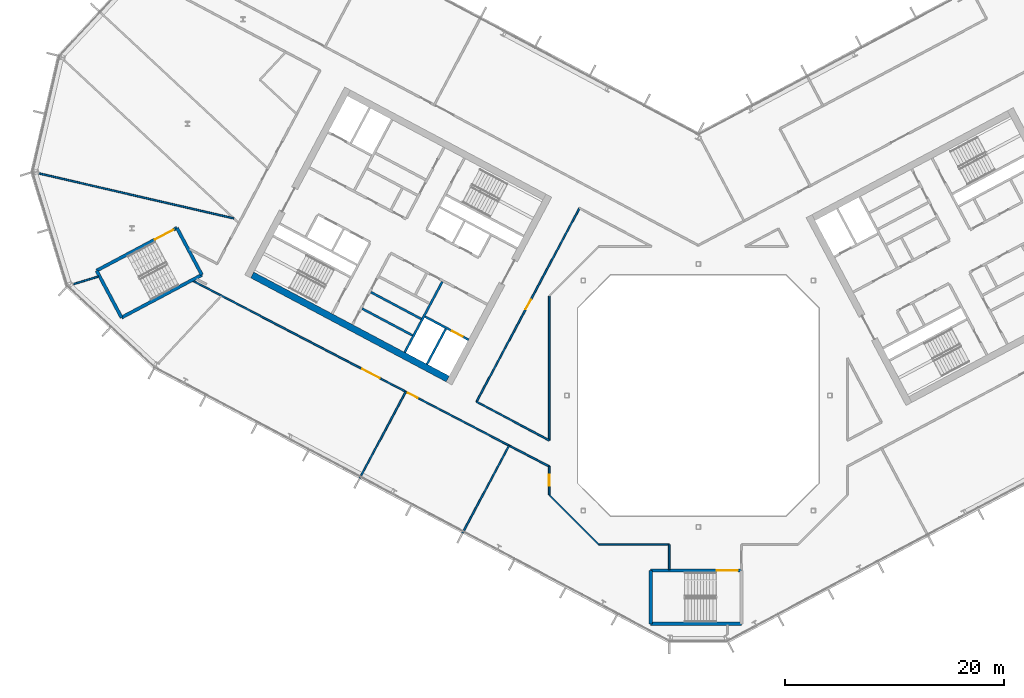
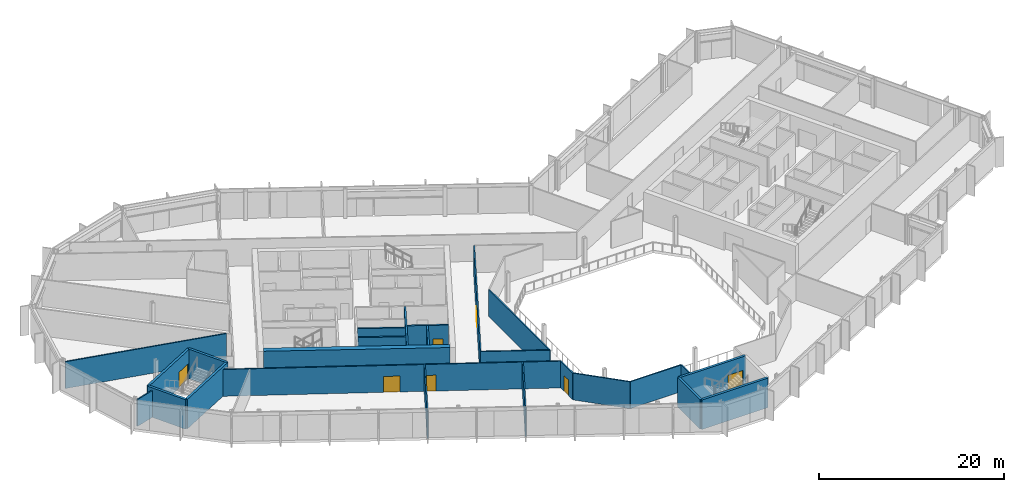
# One storey, part 12 of 26: 25 walls, 7 doors, 7 openings.
"""IFC4 building model written with IfcOpenShell, lengths in metres."""

from ifc_helpers import new_model, si_unit, direction, frame, frame_2d, origin, place, context, subcontext, project, spatial, rectangle, extrude, material, layer, layer_set, type_object, element, fill, save


model = new_model("IFC4")

# Units and contexts
model_context = context("Model", 3, precision=1e-05, world=origin(), true_north=direction((0.0, 1.0)))
body_context = subcontext(model_context, "Body", "Model", "MODEL_VIEW")
ifc_project = project(units=[si_unit("LENGTHUNIT", "METRE"), si_unit("AREAUNIT", "SQUARE_METRE"), si_unit("VOLUMEUNIT", "CUBIC_METRE"), si_unit("PLANEANGLEUNIT", "RADIAN"), si_unit("MASSUNIT", "GRAM", prefix="KILO")], contexts=[model_context])

# Site, building, storey
site_placement = place(None, origin())
site = spatial("IfcSite", under=ifc_project, at=site_placement, CompositionType="ELEMENT")
building_placement = place(site_placement, origin())
building = spatial("IfcBuilding", under=site, at=building_placement, Name="Cormorant Relay Tower", CompositionType="ELEMENT")
storey_placement = place(building_placement, frame((0.0, 0.0, 220.800048828125)))
storey = spatial("IfcBuildingStorey", under=building, at=storey_placement, Name="L48", CompositionType="ELEMENT", Elevation=220.800048828125)

# Walls
ifc_material_1 = material(Name="Concrete 40 MPa", Category="concrete")
ifc_layer_1 = layer(ifc_material_1, 0.199951171875)
ifc_layer_set_1 = layer_set([ifc_layer_1], Name="Core internal wall 200")
wall_type_1 = type_object("IfcWallType", Name="Core internal wall 200", PredefinedType="SOLIDWALL", material=ifc_layer_set_1)
for number, where, z_axis, x_axis, name in (
    (1, (-25.279541015625, 6.985595703125, 0.0), (0.0, 0.0, 1.0), (-0.882934506056, 0.469496174655, 0.0), "L48 core A shaft and room wall"),
    (2, (-26.07763671875, 5.484619140625, 0.0), (0.0, 0.0, 1.0), (-0.882934506056, 0.469496174655, 0.0), "L48 core A shaft and room wall"),
):
    element("IfcWall", number, at=place(storey_placement, frame(where, z_axis=z_axis, x_axis=x_axis)), inside=storey, type_object=wall_type_1, Name=name, PredefinedType="SOLIDWALL", context=body_context, shape_type="SweptSolid", body=[
        extrude(rectangle(XDim=5.199951171875, YDim=0.199951171875, at=frame_2d((2.60009765625, 0.0))), origin(), (0.0, 0.0, 1.0), 3.89990234375),
    ])
ifc_material_2 = material(Name="Concrete 50 MPa", Category="concrete")
ifc_layer_2 = layer(ifc_material_2, 0.199951171875)
ifc_layer_set_2 = layer_set([ifc_layer_2], Name="Core shaft wall 200")
wall_type_2 = type_object("IfcWallType", Name="Core shaft wall 200", PredefinedType="SHEAR", material=ifc_layer_set_2)
wall_1_placement = place(storey_placement, frame((-23.04296875, 6.07958984375, 0.0), z_axis=(0.0, 0.0, 1.0), x_axis=(-0.469494272526, -0.882935517501, 0.0)))
element("IfcWall", 3, at=wall_1_placement, inside=storey, type_object=wall_type_2, Name="L48 core A shaft wall", PredefinedType="SHEAR", context=body_context, shape_type="SweptSolid", body=[
    extrude(rectangle(XDim=3.64990234375, YDim=0.199951171875, at=frame_2d((1.824951171875, 0.0))), origin(), (0.0, 0.0, 1.0), 3.89990234375),
])
wall_2_placement = place(storey_placement, frame((-23.360107421875, 10.38232421875, 0.0), z_axis=(0.0, 0.0, 1.0), x_axis=(-0.469480409012, -0.88294288918, 0.0)))
element("IfcWall", 4, at=wall_2_placement, inside=storey, type_object=wall_type_2, Name="L48 core A shaft wall", PredefinedType="SHEAR", context=body_context, shape_type="SweptSolid", body=[
    extrude(rectangle(XDim=7.300048828125, YDim=0.199951171875, at=frame_2d((3.64990234375, 0.0))), origin(), (0.0, 0.0, 1.0), 3.89990234375),
])

# Wall, opening, door
wall_3_placement = place(storey_placement, frame((-20.96533203125, 5.088134765625, 0.0), z_axis=(0.0, 0.0, 1.0), x_axis=(-0.882925986334, 0.469512196493, 0.0)))
wall_3 = element("IfcWall", 5, at=wall_3_placement, inside=storey, type_object=wall_type_2, Name="L48 core A shaft wall", PredefinedType="SHEAR", context=body_context, shape_type="SweptSolid", body=[
    extrude(rectangle(XDim=4.5, YDim=0.199951171875, at=frame_2d((2.25, 0.0))), origin(), (0.0, 0.0, 1.0), 3.89990234375),
])
opening_1_placement = place(wall_3_placement, frame((0.60009765625, 0.0, 0.0)))
opening_1 = element("IfcOpeningElement", 6, at=opening_1_placement, cuts=wall_3, Name="Opening LD1-063", PredefinedType="OPENING", context=body_context, shape_type="SweptSolid", body=[
    extrude(rectangle(XDim=1.10009765625, YDim=2.10009765625, at=frame_2d((0.550048828125, 1.050048828125))), frame((0.0, 0.10986328125, 0.0), z_axis=(0.0, -1.0, 0.0), x_axis=(1.0, 0.0, 0.0)), (0.0, 0.0, 1.0), 0.219970703125),
])
ifc_material_3 = material(Name="Stainless steel 316", Category="steel")
door_type_1 = type_object("IfcDoorType", Name="Lift landing door 1100x2100", OperationType="DOUBLE_DOOR_SLIDING", PredefinedType="DOOR", material=ifc_material_3)
door_1_placement = place(opening_1_placement, origin())
door_1 = element("IfcDoor", 7, at=door_1_placement, inside=storey, type_object=door_type_1, Name="FF1 landing door", OperationType="DOUBLE_DOOR_SLIDING", OverallHeight=2.10009765625, OverallWidth=1.10009765625, PredefinedType="DOOR", context=body_context, shape_type="SweptSolid", body=[
    extrude(rectangle(XDim=1.10009765625, YDim=2.10009765625, at=frame_2d((0.550048828125, 1.050048828125))), frame((0.0, 0.02490234375, 0.0), z_axis=(0.0, -1.0, 0.0), x_axis=(1.0, 0.0, 0.0)), (0.0, 0.0, 1.0), 0.050048828125),
])
fill(opening_1, door_1)

# Wall
ifc_material_4 = material(Name="Concrete 50 MPa", Category="concrete")
ifc_layer_3 = layer(ifc_material_4, 0.60009765625)
ifc_layer_set_3 = layer_set([ifc_layer_3], Name="Core wall 600")
wall_type_3 = type_object("IfcWallType", Name="Core wall 600", PredefinedType="SHEAR", material=ifc_layer_set_3)
wall_4_placement = place(storey_placement, frame((-22.86669921875, 1.51220703125, 0.0), z_axis=(0.0, 0.0, 1.0), x_axis=(-0.88294509198, 0.469476266226, 0.0)))
element("IfcWall", 8, at=wall_4_placement, inside=storey, type_object=wall_type_3, Name="L48 core A wall", PredefinedType="SHEAR", context=body_context, shape_type="SweptSolid", body=[
    extrude(rectangle(XDim=20.199951171875, YDim=0.60009765625, at=frame_2d((10.10009765625, 0.0))), origin(), (0.0, 0.0, 1.0), 3.89990234375),
])

# Wall, opening, door
ifc_material_5 = material(Name="Gypsum board fire partition")
ifc_layer_4 = layer(ifc_material_5, 0.14990234375)
ifc_layer_set_4 = layer_set([ifc_layer_4], Name="Corridor partition 150 EI 60")
wall_type_4 = type_object("IfcWallType", Name="Corridor partition 150 EI 60", PredefinedType="PARTITIONING", material=ifc_layer_set_4)
wall_5_placement = place(storey_placement, frame((-13.60009765625, -9.076904296875, 0.0), z_axis=(0.0, 0.0, 1.0), x_axis=(0.0, 1.0, 0.0)))
wall_5 = element("IfcWall", 9, at=wall_5_placement, inside=storey, type_object=wall_type_4, Name="wall/L48/part/015", PredefinedType="PARTITIONING", context=body_context, shape_type="SweptSolid", body=[
    extrude(rectangle(XDim=2.60400390625, YDim=0.14990234375, at=frame_2d((1.302001953125, 0.0))), origin(), (0.0, 0.0, 1.0), 3.5400390625),
])
opening_2_placement = place(wall_5_placement, frame((0.85009765625, 0.0, 0.0)))
opening_2 = element("IfcOpeningElement", 10, at=opening_2_placement, cuts=wall_5, Name="Opening DS-145", PredefinedType="OPENING", context=body_context, shape_type="SweptSolid", body=[
    extrude(rectangle(XDim=1.0, YDim=2.10009765625, at=frame_2d((0.5, 1.050048828125))), frame((0.0, 0.0849609375, 0.0), z_axis=(0.0, -1.0, 0.0), x_axis=(1.0, 0.0, 0.0)), (0.0, 0.0, 1.0), 0.169921875),
])
ifc_material_6 = material(Name="Timber door leaf", Category="wood")
door_type_2 = type_object("IfcDoorType", Name="Suite door 1000x2100", OperationType="SINGLE_SWING_LEFT", PredefinedType="DOOR", material=ifc_material_6)
door_2_placement = place(opening_2_placement, origin())
door_2 = element("IfcDoor", 11, at=door_2_placement, inside=storey, type_object=door_type_2, Name="door/L48/009", OperationType="SINGLE_SWING_RIGHT", OverallHeight=2.10009765625, OverallWidth=1.0, PredefinedType="DOOR", context=body_context, shape_type="SweptSolid", body=[
    extrude(rectangle(XDim=1.0, YDim=2.10009765625, at=frame_2d((0.5, 1.050048828125))), frame((0.0, 0.02490234375, 0.0), z_axis=(0.0, -1.0, 0.0), x_axis=(1.0, 0.0, 0.0)), (0.0, 0.0, 1.0), 0.050048828125),
])
fill(opening_2, door_2)

# Wall, openings, doors
wall_6_placement = place(storey_placement, frame((-13.60009765625, -6.472900390625, 0.0), z_axis=(0.0, 0.0, 1.0), x_axis=(-0.886887925569, 0.461984639874, 0.0)))
wall_6 = element("IfcWall", 12, at=wall_6_placement, inside=storey, type_object=wall_type_4, Name="wall/L48/part/016", PredefinedType="PARTITIONING", context=body_context, shape_type="SweptSolid", body=[
    extrude(rectangle(XDim=36.64599609375, YDim=0.14990234375, at=frame_2d((18.322998046875, 0.0))), origin(), (0.0, 0.0, 1.0), 3.5400390625),
])
opening_3_placement = place(wall_6_placement, frame((17.449951171875, 0.0, 0.0)))
opening_3 = element("IfcOpeningElement", 13, at=opening_3_placement, cuts=wall_6, Name="Opening DD-025", PredefinedType="OPENING", context=body_context, shape_type="SweptSolid", body=[
    extrude(rectangle(XDim=1.800048828125, YDim=2.10009765625, at=frame_2d((0.89990234375, 1.050048828125))), frame((0.0, 0.0849609375, 0.0), z_axis=(0.0, -1.0, 0.0), x_axis=(1.0, 0.0, 0.0)), (0.0, 0.0, 1.0), 0.169921875),
])
opening_4_placement = place(wall_6_placement, frame((13.550048828125, 0.0, 0.0)))
opening_4 = element("IfcOpeningElement", 14, at=opening_4_placement, cuts=wall_6, Name="Opening DS-144", PredefinedType="OPENING", context=body_context, shape_type="SweptSolid", body=[
    extrude(rectangle(XDim=1.0, YDim=2.10009765625, at=frame_2d((0.5, 1.050048828125))), frame((0.0, 0.0849609375, 0.0), z_axis=(0.0, -1.0, 0.0), x_axis=(1.0, 0.0, 0.0)), (0.0, 0.0, 1.0), 0.169921875),
])
door_3_placement = place(opening_4_placement, origin())
door_3 = element("IfcDoor", 15, at=door_3_placement, inside=storey, type_object=door_type_2, Name="door/L48/008", OperationType="SINGLE_SWING_RIGHT", OverallHeight=2.10009765625, OverallWidth=1.0, PredefinedType="DOOR", context=body_context, shape_type="SweptSolid", body=[
    extrude(rectangle(XDim=1.0, YDim=2.10009765625, at=frame_2d((0.5, 1.050048828125))), frame((0.0, 0.02490234375, 0.0), z_axis=(0.0, -1.0, 0.0), x_axis=(1.0, 0.0, 0.0)), (0.0, 0.0, 1.0), 0.050048828125),
])
fill(opening_4, door_3)
ifc_material_7 = material(Name="Timber door leaf", Category="wood")
door_type_3 = type_object("IfcDoorType", Name="Suite double door 1800x2100", OperationType="DOUBLE_DOOR_SINGLE_SWING", PredefinedType="DOOR", material=ifc_material_7)
door_4_placement = place(opening_3_placement, origin())
door_4 = element("IfcDoor", 16, at=door_4_placement, inside=storey, type_object=door_type_3, Name="door/L48/007", OperationType="DOUBLE_DOOR_SINGLE_SWING", OverallHeight=2.10009765625, OverallWidth=1.800048828125, PredefinedType="DOOR", context=body_context, shape_type="SweptSolid", body=[
    extrude(rectangle(XDim=1.800048828125, YDim=2.10009765625, at=frame_2d((0.89990234375, 1.050048828125))), frame((0.0, 0.02490234375, 0.0), z_axis=(0.0, -1.0, 0.0), x_axis=(1.0, 0.0, 0.0)), (0.0, 0.0, 1.0), 0.050048828125),
])
fill(opening_3, door_4)

# Walls
wall_7_placement = place(storey_placement, frame((-13.60009765625, -9.076904296875, 0.0), z_axis=(0.0, 0.0, 1.0), x_axis=(0.707106781187, -0.707106781187, 0.0)))
element("IfcWall", 17, at=wall_7_placement, inside=storey, type_object=wall_type_4, Name="wall/L48/part/023", PredefinedType="PARTITIONING", context=body_context, shape_type="SweptSolid", body=[
    extrude(rectangle(XDim=6.396728515625, YDim=0.14990234375, at=frame_2d((3.1982421875, 0.0))), origin(), (0.0, 0.0, 1.0), 3.5400390625),
])
wall_8_placement = place(storey_placement, frame((-2.64892578125, -15.875, 0.0), z_axis=(0.0, 0.0, 1.0), x_axis=(0.0, 1.0, 0.0)))
element("IfcWall", 18, at=wall_8_placement, inside=storey, type_object=wall_type_4, Name="wall/L48/part/024", PredefinedType="PARTITIONING", context=body_context, shape_type="SweptSolid", body=[
    extrude(rectangle(XDim=2.27490234375, YDim=0.14990234375, at=frame_2d((1.137451171875, 0.0))), origin(), (0.0, 0.0, 1.0), 3.5400390625),
])
wall_9_placement = place(storey_placement, frame((-2.64892578125, -13.60009765625, 0.0), z_axis=(0.0, 0.0, 1.0), x_axis=(-1.0, 0.0, 0.0)))
element("IfcWall", 19, at=wall_9_placement, inside=storey, type_object=wall_type_4, Name="wall/L48/part/025", PredefinedType="PARTITIONING", context=body_context, shape_type="SweptSolid", body=[
    extrude(rectangle(XDim=6.427978515625, YDim=0.14990234375, at=frame_2d((3.2138671875, 0.0))), origin(), (0.0, 0.0, 1.0), 3.5400390625),
])

# Wall, opening, door
wall_10_placement = place(storey_placement, frame((-20.235107421875, -0.56689453125, 0.0), z_axis=(0.0, 0.0, 1.0), x_axis=(0.469499398982, 0.882932791528, 0.0)))
wall_10 = element("IfcWall", 20, at=wall_10_placement, inside=storey, type_object=wall_type_4, Name="wall/L48/part/043", PredefinedType="PARTITIONING", context=body_context, shape_type="SweptSolid", body=[
    extrude(rectangle(XDim=20.000244140625, YDim=0.14990234375, at=frame_2d((10.0, 0.0))), origin(), (0.0, 0.0, 1.0), 3.5400390625),
])
opening_5_placement = place(wall_10_placement, frame((9.550048828125, 0.0, 0.0)))
opening_5 = element("IfcOpeningElement", 21, at=opening_5_placement, cuts=wall_10, Name="Opening DS-146", PredefinedType="OPENING", context=body_context, shape_type="SweptSolid", body=[
    extrude(rectangle(XDim=1.0, YDim=2.10009765625, at=frame_2d((0.5, 1.050048828125))), frame((0.0, 0.0849609375, 0.0), z_axis=(0.0, -1.0, 0.0), x_axis=(1.0, 0.0, 0.0)), (0.0, 0.0, 1.0), 0.169921875),
])
door_5_placement = place(opening_5_placement, frame((1.0, 0.0, 0.0), z_axis=(0.0, 0.0, 1.0), x_axis=(-1.0, 0.0, 0.0)))
door_5 = element("IfcDoor", 22, at=door_5_placement, inside=storey, type_object=door_type_2, Name="door/L48/010", OperationType="SINGLE_SWING_LEFT", OverallHeight=2.10009765625, OverallWidth=1.0, PredefinedType="DOOR", context=body_context, shape_type="SweptSolid", body=[
    extrude(rectangle(XDim=1.0, YDim=2.10009765625, at=frame_2d((0.5, 1.050048828125))), frame((0.0, 0.02490234375, 0.0), z_axis=(0.0, -1.0, 0.0), x_axis=(1.0, 0.0, 0.0)), (0.0, 0.0, 1.0), 0.050048828125),
])
fill(opening_5, door_5)

# Walls
wall_11_placement = place(storey_placement, frame((-13.60009765625, 9.076904296875, 0.0), z_axis=(0.0, 0.0, 1.0), x_axis=(0.0, -1.0, 0.0)))
element("IfcWall", 23, at=wall_11_placement, inside=storey, type_object=wall_type_4, Name="wall/L48/part/047", PredefinedType="PARTITIONING", context=body_context, shape_type="SweptSolid", body=[
    extrude(rectangle(XDim=13.1708984375, YDim=0.14990234375, at=frame_2d((6.58544921875, 0.0))), origin(), (0.0, 0.0, 1.0), 3.5400390625),
])
wall_12_placement = place(storey_placement, frame((-13.60009765625, -4.093994140625, 0.0), z_axis=(0.0, 0.0, 1.0), x_axis=(-0.882991591568, 0.469388803893, 0.0)))
element("IfcWall", 24, at=wall_12_placement, inside=storey, type_object=wall_type_4, Name="wall/L48/part/048", PredefinedType="PARTITIONING", context=body_context, shape_type="SweptSolid", body=[
    extrude(rectangle(XDim=7.51416015625, YDim=0.14990234375, at=frame_2d((3.757080078125, 0.0))), origin(), (0.0, 0.0, 1.0), 3.5400390625),
])
ifc_material_8 = material(Name="Concrete 50 MPa", Category="concrete")
ifc_layer_5 = layer(ifc_material_8, 0.300048828125)
ifc_layer_set_5 = layer_set([ifc_layer_5], Name="Remote stair wall 300")
wall_type_5 = type_object("IfcWallType", Name="Remote stair wall 300", PredefinedType="SHEAR", material=ifc_layer_set_5)
wall_13_placement = place(storey_placement, frame((3.949951171875, -20.824951171875, 0.0), z_axis=(0.0, 0.0, 1.0), x_axis=(-1.0, 0.0, 0.0)))
element("IfcWall", 25, at=wall_13_placement, inside=storey, type_object=wall_type_5, Name="L48 exit stair RK1 wall", PredefinedType="SHEAR", context=body_context, shape_type="SweptSolid", body=[
    extrude(rectangle(XDim=8.300048828125, YDim=0.300048828125, at=frame_2d((4.14990234375, 0.0))), origin(), (0.0, 0.0, 1.0), 3.89990234375),
])
wall_14_placement = place(storey_placement, frame((-4.35009765625, -20.824951171875, 0.0), z_axis=(0.0, 0.0, 1.0), x_axis=(0.0, 1.0, 0.0)))
element("IfcWall", 26, at=wall_14_placement, inside=storey, type_object=wall_type_5, Name="L48 exit stair RK1 wall", PredefinedType="SHEAR", context=body_context, shape_type="SweptSolid", body=[
    extrude(rectangle(XDim=4.849853515625, YDim=0.300048828125, at=frame_2d((2.4248046875, 0.0))), origin(), (0.0, 0.0, 1.0), 3.89990234375),
])

# Wall, opening, door
wall_15_placement = place(storey_placement, frame((-4.35009765625, -15.97509765625, 0.0), z_axis=(0.0, 0.0, 1.0), x_axis=(1.0, 0.0, 0.0)))
wall_15 = element("IfcWall", 27, at=wall_15_placement, inside=storey, type_object=wall_type_5, Name="L48 exit stair RK1 wall", PredefinedType="SHEAR", context=body_context, shape_type="SweptSolid", body=[
    extrude(rectangle(XDim=8.300048828125, YDim=0.300048828125, at=frame_2d((4.14990234375, 0.0))), origin(), (0.0, 0.0, 1.0), 3.89990234375),
])
opening_6_placement = place(wall_15_placement, frame((6.050048828125, 0.0, 0.0)))
opening_6 = element("IfcOpeningElement", 28, at=opening_6_placement, cuts=wall_15, Name="Opening CDE-014", PredefinedType="OPENING", context=body_context, shape_type="SweptSolid", body=[
    extrude(rectangle(XDim=1.89990234375, YDim=2.10009765625, at=frame_2d((0.949951171875, 1.050048828125))), frame((0.0, 0.159912109375, 0.0), z_axis=(0.0, -1.0, 0.0), x_axis=(1.0, 0.0, 0.0)), (0.0, 0.0, 1.0), 0.320068359375),
])
ifc_material_9 = material(Name="Steel fire door", Category="steel")
door_type_4 = type_object("IfcDoorType", Name="Remote stair door 1900x2100", OperationType="DOUBLE_DOOR_SINGLE_SWING", PredefinedType="DOOR", material=ifc_material_9)
door_6_placement = place(opening_6_placement, frame((1.89990234375, 0.0, 0.0), z_axis=(0.0, 0.0, 1.0), x_axis=(-1.0, 0.0, 0.0)))
door_6 = element("IfcDoor", 29, at=door_6_placement, inside=storey, type_object=door_type_4, Name="Exit stair RK1 door", OperationType="DOUBLE_DOOR_SINGLE_SWING", OverallHeight=2.10009765625, OverallWidth=1.89990234375, PredefinedType="DOOR", context=body_context, shape_type="SweptSolid", body=[
    extrude(rectangle(XDim=1.89990234375, YDim=2.10009765625, at=frame_2d((0.949951171875, 1.050048828125))), frame((0.0, 0.02490234375, 0.0), z_axis=(0.0, -1.0, 0.0), x_axis=(1.0, 0.0, 0.0)), (0.0, 0.0, 1.0), 0.050048828125),
])
fill(opening_6, door_6)

# Walls
wall_16_placement = place(storey_placement, frame((-47.57421875, 15.28955078125, 0.0), z_axis=(0.0, 0.0, 1.0), x_axis=(0.469443498566, -0.882962514297, 0.0)))
element("IfcWall", 30, at=wall_16_placement, inside=storey, type_object=wall_type_5, Name="L48 exit stair RP1 wall", PredefinedType="SHEAR", context=body_context, shape_type="SweptSolid", body=[
    extrude(rectangle(XDim=4.85009765625, YDim=0.300048828125, at=frame_2d((2.425048828125, 0.0))), origin(), (0.0, 0.0, 1.0), 3.89990234375),
])
wall_17_placement = place(storey_placement, frame((-45.29736328125, 11.007080078125, 0.0), z_axis=(0.0, 0.0, 1.0), x_axis=(-0.882951519127, -0.469464178475, 0.0)))
element("IfcWall", 31, at=wall_17_placement, inside=storey, type_object=wall_type_5, Name="L48 exit stair RP1 wall", PredefinedType="SHEAR", context=body_context, shape_type="SweptSolid", body=[
    extrude(rectangle(XDim=8.2998046875, YDim=0.300048828125, at=frame_2d((4.14990234375, 0.0))), origin(), (0.0, 0.0, 1.0), 3.89990234375),
])
wall_18_placement = place(storey_placement, frame((-52.625732421875, 7.110595703125, 0.0), z_axis=(0.0, 0.0, 1.0), x_axis=(-0.469464364128, 0.882951420416, 0.0)))
element("IfcWall", 32, at=wall_18_placement, inside=storey, type_object=wall_type_5, Name="L48 exit stair RP1 wall", PredefinedType="SHEAR", context=body_context, shape_type="SweptSolid", body=[
    extrude(rectangle(XDim=4.849853515625, YDim=0.300048828125, at=frame_2d((2.4248046875, 0.0))), origin(), (0.0, 0.0, 1.0), 3.89990234375),
])

# Wall, opening, door
wall_19_placement = place(storey_placement, frame((-54.902587890625, 11.392822265625, 0.0), z_axis=(0.0, 0.0, 1.0), x_axis=(0.882939326045, 0.469487110071, 0.0)))
wall_19 = element("IfcWall", 33, at=wall_19_placement, inside=storey, type_object=wall_type_5, Name="L48 exit stair RP1 wall", PredefinedType="SHEAR", context=body_context, shape_type="SweptSolid", body=[
    extrude(rectangle(XDim=8.300048828125, YDim=0.300048828125, at=frame_2d((4.14990234375, 0.0))), origin(), (0.0, 0.0, 1.0), 3.89990234375),
])
opening_7_placement = place(wall_19_placement, frame((6.050048828125, 0.0, 0.0)))
opening_7 = element("IfcOpeningElement", 34, at=opening_7_placement, cuts=wall_19, Name="Opening CDE-015", PredefinedType="OPENING", context=body_context, shape_type="SweptSolid", body=[
    extrude(rectangle(XDim=1.89990234375, YDim=2.10009765625, at=frame_2d((0.949951171875, 1.050048828125))), frame((0.0, 0.159912109375, 0.0), z_axis=(0.0, -1.0, 0.0), x_axis=(1.0, 0.0, 0.0)), (0.0, 0.0, 1.0), 0.320068359375),
])
door_7_placement = place(opening_7_placement, frame((1.89990234375, 0.0, 0.0), z_axis=(0.0, 0.0, 1.0), x_axis=(-1.0, 0.0, 0.0)))
door_7 = element("IfcDoor", 35, at=door_7_placement, inside=storey, type_object=door_type_4, Name="Exit stair RP1 door", OperationType="DOUBLE_DOOR_SINGLE_SWING", OverallHeight=2.10009765625, OverallWidth=1.89990234375, PredefinedType="DOOR", context=body_context, shape_type="SweptSolid", body=[
    extrude(rectangle(XDim=1.89990234375, YDim=2.10009765625, at=frame_2d((0.949951171875, 1.050048828125))), frame((0.0, 0.02490234375, 0.0), z_axis=(0.0, -1.0, 0.0), x_axis=(1.0, 0.0, 0.0)), (0.0, 0.0, 1.0), 0.050048828125),
])
fill(opening_7, door_7)

# Walls
ifc_material_10 = material(Name="Gypsum board partition")
ifc_layer_6 = layer(ifc_material_10, 0.14990234375)
ifc_layer_set_6 = layer_set([ifc_layer_6], Name="Tenant partition 150")
wall_type_6 = type_object("IfcWallType", Name="Tenant partition 150", PredefinedType="PARTITIONING", material=ifc_layer_set_6)
wall_20_placement = place(storey_placement, frame((-60.162109375, 20.264892578125, 0.0), z_axis=(0.0, 0.0, 1.0), x_axis=(0.974367298847, -0.224963034603, 0.0)))
element("IfcWall", 36, at=wall_20_placement, inside=storey, type_object=wall_type_6, Name="wall/L48/part/001", PredefinedType="PARTITIONING", context=body_context, shape_type="SweptSolid", body=[
    extrude(rectangle(XDim=18.256103515625, YDim=0.14990234375, at=frame_2d((9.1279296875, 0.0))), origin(), (0.0, 0.0, 1.0), 3.5400390625),
])
wall_21_placement = place(storey_placement, frame((-54.73193359375, 10.85693359375, 0.0), z_axis=(0.0, 0.0, 1.0), x_axis=(-0.956308315689, -0.292360061129, 0.0)))
element("IfcWall", 37, at=wall_21_placement, inside=storey, type_object=wall_type_6, Name="wall/L48/part/004", PredefinedType="PARTITIONING", context=body_context, shape_type="SweptSolid", body=[
    extrude(rectangle(XDim=2.36669921875, YDim=0.14990234375, at=frame_2d((1.183349609375, 0.0))), origin(), (0.0, 0.0, 1.0), 3.5400390625),
])
wall_22_placement = place(storey_placement, frame((-26.695068359375, 0.347900390625, 0.0), z_axis=(0.0, 0.0, 1.0), x_axis=(-0.469531763761, -0.8829155808, 0.0)))
element("IfcWall", 38, at=wall_22_placement, inside=storey, type_object=wall_type_6, Name="wall/L48/part/010", PredefinedType="PARTITIONING", context=body_context, shape_type="SweptSolid", body=[
    extrude(rectangle(XDim=8.974609375, YDim=0.14990234375, at=frame_2d((4.4873046875, 0.0))), origin(), (0.0, 0.0, 1.0), 3.5400390625),
])
wall_23_placement = place(storey_placement, frame((-17.263916015625, -4.56396484375, 0.0), z_axis=(0.0, 0.0, 1.0), x_axis=(-0.469490590471, -0.882937475396, 0.0)))
element("IfcWall", 39, at=wall_23_placement, inside=storey, type_object=wall_type_6, Name="wall/L48/part/020", PredefinedType="PARTITIONING", context=body_context, shape_type="SweptSolid", body=[
    extrude(rectangle(XDim=9.0654296875, YDim=0.14990234375, at=frame_2d((4.53271484375, 0.0))), origin(), (0.0, 0.0, 1.0), 3.5400390625),
])

save(model, "model.ifc")
